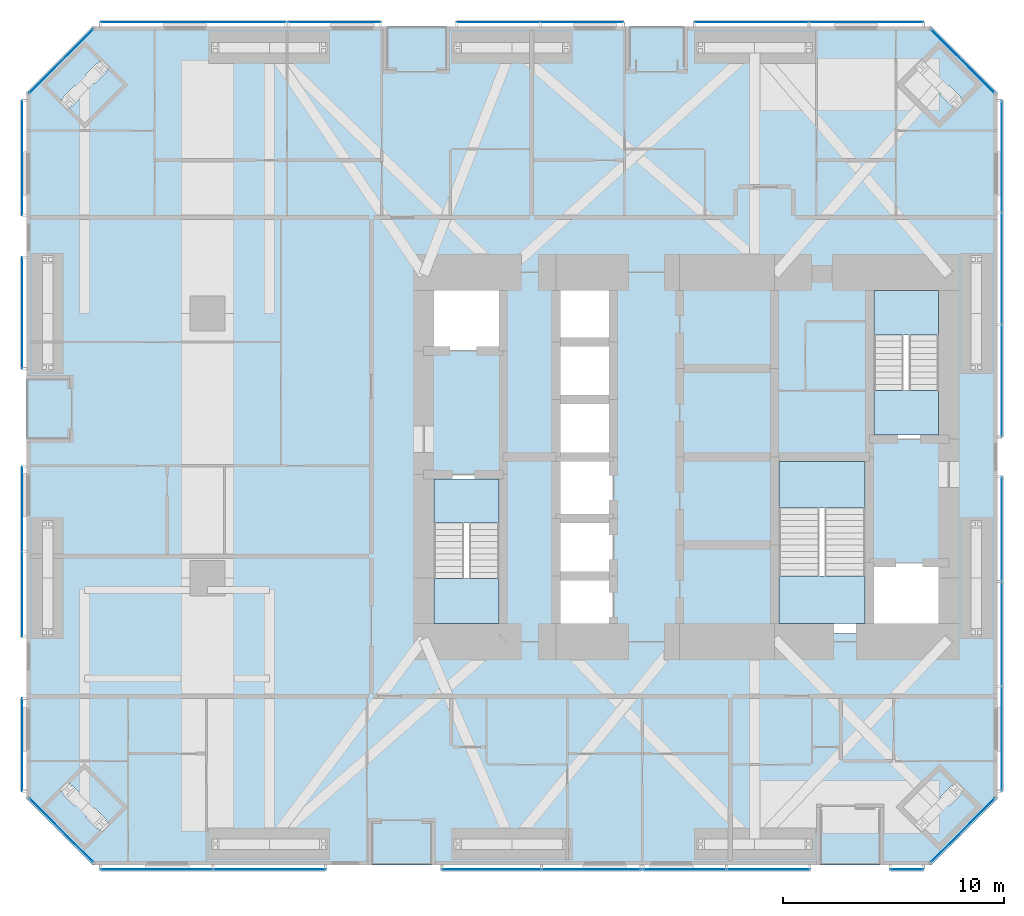
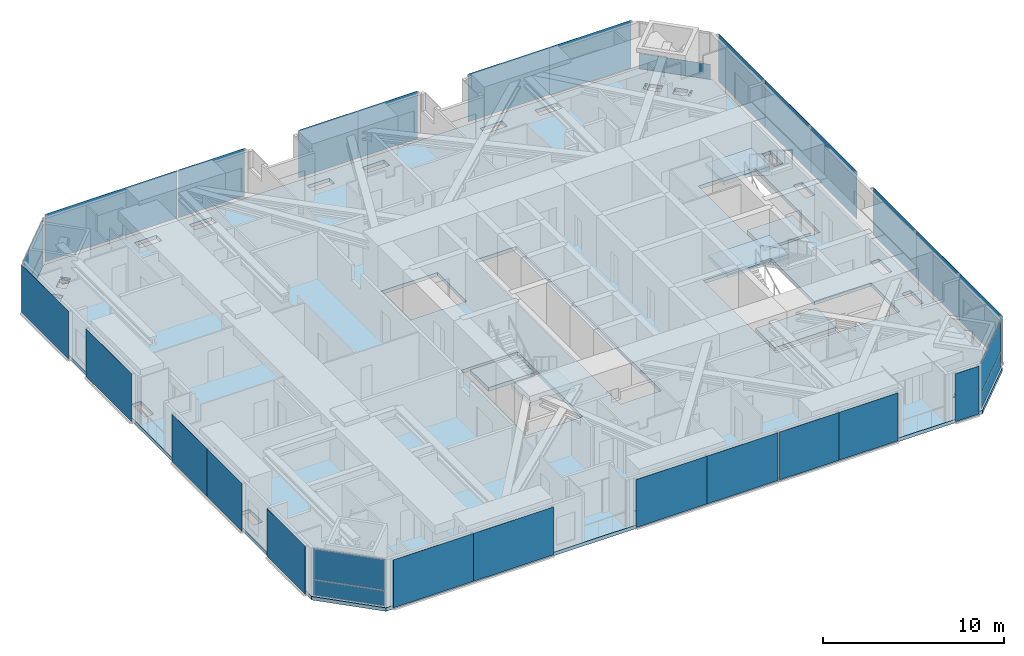
# One storey, part 14 of 22: 31 plates, 7 slabs, 21 elements without a shape of their own.
"""IFC4 building model written with IfcOpenShell, lengths in metres."""

from ifc_helpers import new_model, si_unit, direction, frame, origin, origin_2d, place, context, subcontext, project, spatial, polyline, rectangle, outline, extrude, material, layer, layer_set, type_object, element, aggregate, save


model = new_model("IFC4")

# Units and contexts
model_context = context("Model", 3, precision=1e-05, world=origin(), true_north=direction((0.0, 1.0)))
body_context = subcontext(model_context, "Body", "Model", "MODEL_VIEW")
ifc_project = project(units=[si_unit("LENGTHUNIT", "METRE"), si_unit("AREAUNIT", "SQUARE_METRE"), si_unit("VOLUMEUNIT", "CUBIC_METRE"), si_unit("PLANEANGLEUNIT", "RADIAN"), si_unit("MASSUNIT", "GRAM", prefix="KILO")], contexts=[model_context])

# Site, building, storey
site_placement = place(None, origin())
site = spatial("IfcSite", under=ifc_project, at=site_placement, CompositionType="ELEMENT")
building_placement = place(site_placement, origin())
building = spatial("IfcBuilding", under=site, at=building_placement, Name="Jalousie Tower", CompositionType="ELEMENT")
storey_placement = place(building_placement, frame((0.0, 0.0, 71.25)))
storey = spatial("IfcBuildingStorey", under=building, at=storey_placement, Name="L19", CompositionType="ELEMENT", Elevation=71.25)

# Curtain wall, plates
ifc_material_1 = material(Name="Aluminium curtain wall", Category="aluminium")
curtain_wall_type_1 = type_object("IfcCurtainWallType", Name="CORNER WINDOW WALL", PredefinedType="USERDEFINED", material=ifc_material_1)
curtain_wall_1_placement = place(storey_placement, origin())
curtain_wall_1 = element("IfcCurtainWall", 1, at=curtain_wall_1_placement, inside=storey, type_object=curtain_wall_type_1, Name="Corner Window Wall L19 2", ObjectType="CORNER WINDOW WALL", PredefinedType="USERDEFINED")
ifc_material_2 = material(Name="Laminated impact-rated spandrel glass", Category="glass")
ifc_layer_1 = layer(ifc_material_2, 0.028076171875)
ifc_layer_set_1 = layer_set([ifc_layer_1], Name="Laminated impact-rated spandrel glass")
plate_type_1 = type_object("IfcPlateType", Name="CORNER WINDOW WALL PANEL", PredefinedType="CURTAIN_PANEL", material=ifc_layer_set_1)
plate_1_placement = place(storey_placement, frame((44.4306640625, 1.5693359375, 0.06005859375), z_axis=(0.0, 0.0, 1.0), x_axis=(0.707106781187, 0.707106781187, 0.0)))
plate_1 = element("IfcPlate", 2, at=plate_1_placement, type_object=plate_type_1, Name="CW-C panel 1.1", PredefinedType="CURTAIN_PANEL", context=body_context, shape_type="SweptSolid", body=[
    extrude(rectangle(XDim=4.071533203125, YDim=0.028076171875, at=origin_2d()), origin(), (0.0, 0.0, 1.0), 1.010009765625),
])
plate_2_placement = place(storey_placement, frame((44.4306640625, 1.5693359375, 1.1298828125), z_axis=(0.0, 0.0, 1.0), x_axis=(0.707106781187, 0.707106781187, 0.0)))
plate_2 = element("IfcPlate", 3, at=plate_2_placement, type_object=plate_type_1, Name="CW-C panel 1.2", PredefinedType="CURTAIN_PANEL", context=body_context, shape_type="SweptSolid", body=[
    extrude(rectangle(XDim=4.071533203125, YDim=0.028076171875, at=origin_2d()), origin(), (0.0, 0.0, 1.0), 2.030029296875),
])
aggregate(curtain_wall_1, [plate_1, plate_2])

# Curtain wall, plate
curtain_wall_2_placement = place(storey_placement, origin())
curtain_wall_2 = element("IfcCurtainWall", 4, at=curtain_wall_2_placement, inside=storey, type_object=curtain_wall_type_1, Name="Corner Window Wall L19 4", ObjectType="CORNER WINDOW WALL", PredefinedType="USERDEFINED")
plate_3_placement = place(storey_placement, frame((44.4306640625, 36.4306640625, 0.06005859375), z_axis=(0.0, 0.0, 1.0), x_axis=(-0.707106781187, 0.707106781187, 0.0)))
plate_3 = element("IfcPlate", 5, at=plate_3_placement, type_object=plate_type_1, Name="CW-C panel 1.1", PredefinedType="CURTAIN_PANEL", context=body_context, shape_type="SweptSolid", body=[
    extrude(rectangle(XDim=4.071533203125, YDim=0.028076171875, at=origin_2d()), origin(), (0.0, 0.0, 1.0), 1.010009765625),
])
aggregate(curtain_wall_2, [plate_3])

# Curtain wall, plates
curtain_wall_3_placement = place(storey_placement, origin())
curtain_wall_3 = element("IfcCurtainWall", 6, at=curtain_wall_3_placement, inside=storey, type_object=curtain_wall_type_1, Name="Corner Window Wall L19 6", ObjectType="CORNER WINDOW WALL", PredefinedType="USERDEFINED")
plate_4_placement = place(storey_placement, frame((3.5693359375, 36.4306640625, 0.06005859375), z_axis=(0.0, 0.0, 1.0), x_axis=(-0.707106781187, -0.707106781187, 0.0)))
plate_4 = element("IfcPlate", 7, at=plate_4_placement, type_object=plate_type_1, Name="CW-C panel 1.1", PredefinedType="CURTAIN_PANEL", context=body_context, shape_type="SweptSolid", body=[
    extrude(rectangle(XDim=4.071533203125, YDim=0.028076171875, at=origin_2d()), origin(), (0.0, 0.0, 1.0), 1.010009765625),
])
plate_5_placement = place(storey_placement, frame((3.5693359375, 36.4306640625, 1.1298828125), z_axis=(0.0, 0.0, 1.0), x_axis=(-0.707106781187, -0.707106781187, 0.0)))
plate_5 = element("IfcPlate", 8, at=plate_5_placement, type_object=plate_type_1, Name="CW-C panel 1.2", PredefinedType="CURTAIN_PANEL", context=body_context, shape_type="SweptSolid", body=[
    extrude(rectangle(XDim=4.071533203125, YDim=0.028076171875, at=origin_2d()), origin(), (0.0, 0.0, 1.0), 2.030029296875),
])
aggregate(curtain_wall_3, [plate_4, plate_5])

curtain_wall_4_placement = place(storey_placement, origin())
curtain_wall_4 = element("IfcCurtainWall", 9, at=curtain_wall_4_placement, inside=storey, type_object=curtain_wall_type_1, Name="Corner Window Wall L19 8", ObjectType="CORNER WINDOW WALL", PredefinedType="USERDEFINED")
plate_6_placement = place(storey_placement, frame((3.5693359375, 1.5693359375, 0.06005859375), z_axis=(0.0, 0.0, 1.0), x_axis=(0.707106781187, -0.707106781187, 0.0)))
plate_6 = element("IfcPlate", 10, at=plate_6_placement, type_object=plate_type_1, Name="CW-C panel 1.1", PredefinedType="CURTAIN_PANEL", context=body_context, shape_type="SweptSolid", body=[
    extrude(rectangle(XDim=4.071533203125, YDim=0.028076171875, at=origin_2d()), origin(), (0.0, 0.0, 1.0), 1.010009765625),
])
plate_7_placement = place(storey_placement, frame((3.5693359375, 1.5693359375, 1.1298828125), z_axis=(0.0, 0.0, 1.0), x_axis=(0.707106781187, -0.707106781187, 0.0)))
plate_7 = element("IfcPlate", 11, at=plate_7_placement, type_object=plate_type_1, Name="CW-C panel 1.2", PredefinedType="CURTAIN_PANEL", context=body_context, shape_type="SweptSolid", body=[
    extrude(rectangle(XDim=4.071533203125, YDim=0.028076171875, at=origin_2d()), origin(), (0.0, 0.0, 1.0), 2.030029296875),
])
aggregate(curtain_wall_4, [plate_6, plate_7])

# Slab
ifc_material_3 = material(Name="Concrete f'c 40 MPa", Category="concrete")
ifc_layer_2 = layer(ifc_material_3, 0.239990234375)
ifc_layer_set_2 = layer_set([ifc_layer_2], Name="Concrete f'c 40 MPa")
slab_type_1 = type_object("IfcSlabType", Name="FLOOR SLAB 240", PredefinedType="FLOOR", material=ifc_layer_set_2)
slab_1_placement = place(storey_placement, frame((0.0, 0.0, -0.239990234375)))
element("IfcSlab", 12, at=slab_1_placement, inside=storey, type_object=slab_type_1, Name="L19 floor slab", PredefinedType="FLOOR", context=body_context, shape_type="SweptSolid", body=[
    extrude(outline(polyline([(5.0, 0.0), (43.0, 0.0), (46.0, 3.0), (46.0, 35.0), (43.0, 38.0), (5.0, 38.0), (2.0, 35.0), (2.0, 3.0), (5.0, 0.0)]), holes=[polyline([(10.550048828125, 1.236083984375), (10.609619140625, 1.236083984375), (11.958251953125, 1.236083984375), (11.958251953125, 0.663818359375), (10.609619140625, 0.663818359375), (10.550048828125, 0.663818359375), (10.550048828125, 1.236083984375)]), polyline([(14.041748046875, 1.236083984375), (15.390380859375, 1.236083984375), (15.449951171875, 1.236083984375), (15.449951171875, 0.663818359375), (15.390380859375, 0.663818359375), (14.041748046875, 0.663818359375), (14.041748046875, 1.236083984375)]), polyline([(5.29736328125, 1.560791015625), (5.7021484375, 1.96533203125), (5.788330078125, 1.879150390625), (5.383544921875, 1.474365234375), (5.29736328125, 1.560791015625)]), polyline([(5.611572265625, 2.055908203125), (5.206787109375, 1.651123046875), (4.676025390625, 2.181884765625), (5.080810546875, 2.586669921875), (5.611572265625, 2.055908203125)]), polyline([(3.651123046875, 3.206787109375), (4.055908203125, 3.611572265625), (4.586669921875, 3.080810546875), (4.181884765625, 2.676025390625), (3.651123046875, 3.206787109375)]), polyline([(3.96533203125, 3.7021484375), (3.560791015625, 3.29736328125), (3.474365234375, 3.383544921875), (3.879150390625, 3.788330078125), (3.96533203125, 3.7021484375)]), polyline([(3.236083984375, 10.550048828125), (2.663818359375, 10.550048828125), (2.663818359375, 10.609619140625), (2.663818359375, 11.958251953125), (3.236083984375, 11.958251953125), (3.236083984375, 10.609619140625), (3.236083984375, 10.550048828125)]), polyline([(3.236083984375, 15.390380859375), (3.236083984375, 14.041748046875), (2.663818359375, 14.041748046875), (2.663818359375, 15.390380859375), (2.663818359375, 15.449951171875), (3.236083984375, 15.449951171875), (3.236083984375, 15.390380859375)]), polyline([(2.663818359375, 23.958251953125), (3.236083984375, 23.958251953125), (3.236083984375, 22.609619140625), (3.236083984375, 22.550048828125), (2.663818359375, 22.550048828125), (2.663818359375, 22.609619140625), (2.663818359375, 23.958251953125)]), polyline([(3.236083984375, 26.041748046875), (2.663818359375, 26.041748046875), (2.663818359375, 27.390380859375), (2.663818359375, 27.449951171875), (3.236083984375, 27.449951171875), (3.236083984375, 27.390380859375), (3.236083984375, 26.041748046875)]), polyline([(3.560791015625, 34.70263671875), (3.96533203125, 34.2978515625), (3.879150390625, 34.211669921875), (3.474365234375, 34.616455078125), (3.560791015625, 34.70263671875)]), polyline([(4.586669921875, 34.919189453125), (4.055908203125, 34.388427734375), (3.651123046875, 34.793212890625), (4.181884765625, 35.323974609375), (4.586669921875, 34.919189453125)]), polyline([(5.206787109375, 36.348876953125), (5.611572265625, 35.944091796875), (5.080810546875, 35.413330078125), (4.676025390625, 35.818115234375), (5.206787109375, 36.348876953125)]), polyline([(5.7021484375, 36.03466796875), (5.29736328125, 36.439208984375), (5.383544921875, 36.525634765625), (5.788330078125, 36.120849609375), (5.7021484375, 36.03466796875)]), polyline([(10.550048828125, 36.763916015625), (10.550048828125, 37.336181640625), (10.609619140625, 37.336181640625), (11.958251953125, 37.336181640625), (11.958251953125, 36.763916015625), (10.609619140625, 36.763916015625), (10.550048828125, 36.763916015625)]), polyline([(15.449951171875, 37.336181640625), (15.449951171875, 36.763916015625), (15.390380859375, 36.763916015625), (14.041748046875, 36.763916015625), (14.041748046875, 37.336181640625), (15.390380859375, 37.336181640625), (15.449951171875, 37.336181640625)]), polyline([(22.958251953125, 1.236083984375), (22.958251953125, 0.663818359375), (21.609619140625, 0.663818359375), (21.550048828125, 0.663818359375), (21.550048828125, 1.236083984375), (21.609619140625, 1.236083984375), (22.958251953125, 1.236083984375)]), polyline([(25.041748046875, 0.663818359375), (25.041748046875, 1.236083984375), (26.390380859375, 1.236083984375), (26.449951171875, 1.236083984375), (26.449951171875, 0.663818359375), (26.390380859375, 0.663818359375), (25.041748046875, 0.663818359375)]), polyline([(32.609619140625, 0.663818359375), (32.550048828125, 0.663818359375), (32.550048828125, 1.236083984375), (32.609619140625, 1.236083984375), (33.958251953125, 1.236083984375), (33.958251953125, 0.663818359375), (32.609619140625, 0.663818359375)]), polyline([(37.390380859375, 1.236083984375), (37.449951171875, 1.236083984375), (37.449951171875, 0.663818359375), (37.390380859375, 0.663818359375), (36.041748046875, 0.663818359375), (36.041748046875, 1.236083984375), (37.390380859375, 1.236083984375)]), polyline([(28.60009765625, 26.5), (28.60009765625, 10.5), (26.0, 10.5), (26.0, 26.5), (28.60009765625, 26.5)]), polyline([(20.0, 10.5), (23.60009765625, 10.5), (23.60009765625, 17.699951171875), (20.0, 17.699951171875), (20.0, 10.5)]), polyline([(20.0, 23.300048828125), (23.60009765625, 23.300048828125), (23.60009765625, 26.5), (20.0, 26.5), (20.0, 23.300048828125)]), polyline([(22.958251953125, 36.763916015625), (21.609619140625, 36.763916015625), (21.550048828125, 36.763916015625), (21.550048828125, 37.336181640625), (21.609619140625, 37.336181640625), (22.958251953125, 37.336181640625), (22.958251953125, 36.763916015625)]), polyline([(25.041748046875, 37.336181640625), (26.390380859375, 37.336181640625), (26.449951171875, 37.336181640625), (26.449951171875, 36.763916015625), (26.390380859375, 36.763916015625), (25.041748046875, 36.763916015625), (25.041748046875, 37.336181640625)]), polyline([(33.958251953125, 37.336181640625), (33.958251953125, 36.763916015625), (32.609619140625, 36.763916015625), (32.550048828125, 36.763916015625), (32.550048828125, 37.336181640625), (32.609619140625, 37.336181640625), (33.958251953125, 37.336181640625)]), polyline([(37.390380859375, 37.336181640625), (37.449951171875, 37.336181640625), (37.449951171875, 36.763916015625), (37.390380859375, 36.763916015625), (36.041748046875, 36.763916015625), (36.041748046875, 37.336181640625), (37.390380859375, 37.336181640625)]), polyline([(42.2978515625, 1.96533203125), (42.70263671875, 1.560791015625), (42.616455078125, 1.474365234375), (42.211669921875, 1.879150390625), (42.2978515625, 1.96533203125)]), polyline([(42.793212890625, 1.651123046875), (42.388427734375, 2.055908203125), (42.919189453125, 2.586669921875), (43.323974609375, 2.181884765625), (42.793212890625, 1.651123046875)]), polyline([(43.944091796875, 3.611572265625), (44.348876953125, 3.206787109375), (43.818115234375, 2.676025390625), (43.413330078125, 3.080810546875), (43.944091796875, 3.611572265625)]), polyline([(44.525634765625, 3.383544921875), (44.439208984375, 3.29736328125), (44.03466796875, 3.7021484375), (44.120849609375, 3.788330078125), (44.525634765625, 3.383544921875)]), polyline([(45.336181640625, 10.550048828125), (44.763916015625, 10.550048828125), (44.763916015625, 10.609619140625), (44.763916015625, 11.958251953125), (45.336181640625, 11.958251953125), (45.336181640625, 10.609619140625), (45.336181640625, 10.550048828125)]), polyline([(35.89990234375, 18.5), (40.199951171875, 18.5), (40.199951171875, 13.699951171875), (43.800048828125, 13.699951171875), (43.800048828125, 10.5), (35.89990234375, 10.5), (35.89990234375, 18.5)]), polyline([(45.336181640625, 14.041748046875), (44.763916015625, 14.041748046875), (44.763916015625, 15.390380859375), (44.763916015625, 15.449951171875), (45.336181640625, 15.449951171875), (45.336181640625, 15.390380859375), (45.336181640625, 14.041748046875)]), polyline([(40.199951171875, 19.300048828125), (43.800048828125, 19.300048828125), (43.800048828125, 26.5), (40.199951171875, 26.5), (40.199951171875, 19.300048828125)]), polyline([(45.336181640625, 22.550048828125), (44.763916015625, 22.550048828125), (44.763916015625, 22.609619140625), (44.763916015625, 23.958251953125), (45.336181640625, 23.958251953125), (45.336181640625, 22.609619140625), (45.336181640625, 22.550048828125)]), polyline([(45.336181640625, 27.390380859375), (45.336181640625, 26.041748046875), (44.763916015625, 26.041748046875), (44.763916015625, 27.390380859375), (44.763916015625, 27.449951171875), (45.336181640625, 27.449951171875), (45.336181640625, 27.390380859375)]), polyline([(44.03466796875, 34.2978515625), (44.439208984375, 34.70263671875), (44.525634765625, 34.616455078125), (44.120849609375, 34.211669921875), (44.03466796875, 34.2978515625)]), polyline([(44.348876953125, 34.793212890625), (43.944091796875, 34.388427734375), (43.413330078125, 34.919189453125), (43.818115234375, 35.323974609375), (44.348876953125, 34.793212890625)]), polyline([(42.388427734375, 35.944091796875), (42.793212890625, 36.348876953125), (43.323974609375, 35.818115234375), (42.919189453125, 35.413330078125), (42.388427734375, 35.944091796875)]), polyline([(42.70263671875, 36.439208984375), (42.2978515625, 36.03466796875), (42.211669921875, 36.120849609375), (42.616455078125, 36.525634765625), (42.70263671875, 36.439208984375)])]), origin(), (0.0, 0.0, 1.0), 0.239990234375),
])

# Curtain wall, plates
ifc_material_4 = material(Name="Perforated aluminium sheet", Category="aluminium")
curtain_wall_type_2 = type_object("IfcCurtainWallType", Name="SOLAR SCREEN SS-2", PredefinedType="USERDEFINED", material=ifc_material_4)
curtain_wall_5_placement = place(storey_placement, origin())
curtain_wall_5 = element("IfcCurtainWall", 13, at=curtain_wall_5_placement, inside=storey, type_object=curtain_wall_type_2, Name="Solar screen L19", ObjectType="SOLAR SCREEN SS-2", PredefinedType="USERDEFINED")
ifc_material_5 = material(Name="Perforated aluminium sheet", Category="aluminium")
ifc_layer_3 = layer(ifc_material_5, 0.006103515625)
ifc_layer_set_3 = layer_set([ifc_layer_3], Name="Perforated aluminium sheet")
plate_type_2 = type_object("IfcPlateType", Name="SOLAR SCREEN SS-2 PANEL", PredefinedType="CURTAIN_PANEL", material=ifc_layer_set_3)
plate_8_placement = place(storey_placement, frame((7.90087890625, -0.201171875, 0.0), z_axis=(0.0, 0.0, 1.0), x_axis=(1.0, 0.0, 0.0)))
plate_8 = element("IfcPlate", 14, at=plate_8_placement, type_object=plate_type_2, Name="SS2 perforated panel 1", PredefinedType="CURTAIN_PANEL", context=body_context, shape_type="SweptSolid", body=[
    extrude(rectangle(XDim=5.099365234375, YDim=0.006103515625, at=origin_2d()), origin(), (0.0, 0.0, 1.0), 3.219970703125),
])
plate_9_placement = place(storey_placement, frame((13.000244140625, -0.201171875, 0.0), z_axis=(0.0, 0.0, 1.0), x_axis=(1.0, 0.0, 0.0)))
plate_9 = element("IfcPlate", 15, at=plate_9_placement, type_object=plate_type_2, Name="SS2 perforated panel 2", PredefinedType="CURTAIN_PANEL", context=body_context, shape_type="SweptSolid", body=[
    extrude(rectangle(XDim=5.099365234375, YDim=0.006103515625, at=origin_2d()), origin(), (0.0, 0.0, 1.0), 3.219970703125),
])
aggregate(curtain_wall_5, [plate_8, plate_9])

curtain_wall_6_placement = place(storey_placement, origin())
curtain_wall_6 = element("IfcCurtainWall", 16, at=curtain_wall_6_placement, inside=storey, type_object=curtain_wall_type_2, Name="Solar screen L19", ObjectType="SOLAR SCREEN SS-2", PredefinedType="USERDEFINED")
plate_10_placement = place(storey_placement, frame((23.081298828125, -0.201171875, 0.0), z_axis=(0.0, 0.0, 1.0), x_axis=(1.0, 0.0, 0.0)))
plate_10 = element("IfcPlate", 17, at=plate_10_placement, type_object=plate_type_2, Name="SS2 perforated panel 1", PredefinedType="CURTAIN_PANEL", context=body_context, shape_type="SweptSolid", body=[
    extrude(rectangle(XDim=4.512451171875, YDim=0.006103515625, at=origin_2d()), origin(), (0.0, 0.0, 1.0), 3.219970703125),
])
plate_11_placement = place(storey_placement, frame((27.59375, -0.201171875, 0.0), z_axis=(0.0, 0.0, 1.0), x_axis=(1.0, 0.0, 0.0)))
plate_11 = element("IfcPlate", 18, at=plate_11_placement, type_object=plate_type_2, Name="SS2 perforated panel 2", PredefinedType="CURTAIN_PANEL", context=body_context, shape_type="SweptSolid", body=[
    extrude(rectangle(XDim=4.512451171875, YDim=0.006103515625, at=origin_2d()), origin(), (0.0, 0.0, 1.0), 3.219970703125),
])
aggregate(curtain_wall_6, [plate_10, plate_11])

curtain_wall_7_placement = place(storey_placement, origin())
curtain_wall_7 = element("IfcCurtainWall", 19, at=curtain_wall_7_placement, inside=storey, type_object=curtain_wall_type_2, Name="Solar screen L19", ObjectType="SOLAR SCREEN SS-2", PredefinedType="USERDEFINED")
plate_12_placement = place(storey_placement, frame((31.83740234375, -0.201171875, 0.0), z_axis=(0.0, 0.0, 1.0), x_axis=(1.0, 0.0, 0.0)))
plate_12 = element("IfcPlate", 20, at=plate_12_placement, type_object=plate_type_2, Name="SS2 perforated panel 1", PredefinedType="CURTAIN_PANEL", context=body_context, shape_type="SweptSolid", body=[
    extrude(rectangle(XDim=3.77490234375, YDim=0.006103515625, at=origin_2d()), origin(), (0.0, 0.0, 1.0), 3.219970703125),
])
plate_13_placement = place(storey_placement, frame((35.612548828125, -0.201171875, 0.0), z_axis=(0.0, 0.0, 1.0), x_axis=(1.0, 0.0, 0.0)))
plate_13 = element("IfcPlate", 21, at=plate_13_placement, type_object=plate_type_2, Name="SS2 perforated panel 2", PredefinedType="CURTAIN_PANEL", context=body_context, shape_type="SweptSolid", body=[
    extrude(rectangle(XDim=3.77490234375, YDim=0.006103515625, at=origin_2d()), origin(), (0.0, 0.0, 1.0), 3.219970703125),
])
aggregate(curtain_wall_7, [plate_12, plate_13])

# Curtain wall, plate
curtain_wall_8_placement = place(storey_placement, origin())
curtain_wall_8 = element("IfcCurtainWall", 22, at=curtain_wall_8_placement, inside=storey, type_object=curtain_wall_type_2, Name="Solar screen L19", ObjectType="SOLAR SCREEN SS-2", PredefinedType="USERDEFINED")
plate_14_placement = place(storey_placement, frame((41.8994140625, -0.201171875, 0.0), z_axis=(0.0, 0.0, 1.0), x_axis=(1.0, 0.0, 0.0)))
plate_14 = element("IfcPlate", 23, at=plate_14_placement, type_object=plate_type_2, Name="SS2 perforated panel 1", PredefinedType="CURTAIN_PANEL", context=body_context, shape_type="SweptSolid", body=[
    extrude(rectangle(XDim=1.498779296875, YDim=0.006103515625, at=origin_2d()), origin(), (0.0, 0.0, 1.0), 3.219970703125),
])
aggregate(curtain_wall_8, [plate_14])

# Curtain wall, plates
curtain_wall_9_placement = place(storey_placement, origin())
curtain_wall_9 = element("IfcCurtainWall", 24, at=curtain_wall_9_placement, inside=storey, type_object=curtain_wall_type_2, Name="Solar screen L19", ObjectType="SOLAR SCREEN SS-2", PredefinedType="USERDEFINED")
plate_15_placement = place(storey_placement, frame((46.201171875, 5.72607421875, 0.0), z_axis=(0.0, 0.0, 1.0), x_axis=(0.0, 1.0, 0.0)))
plate_15 = element("IfcPlate", 25, at=plate_15_placement, type_object=plate_type_2, Name="SS2 perforated panel 1", PredefinedType="CURTAIN_PANEL", context=body_context, shape_type="SweptSolid", body=[
    extrude(rectangle(XDim=4.74951171875, YDim=0.006103515625, at=origin_2d()), origin(), (0.0, 0.0, 1.0), 3.219970703125),
])
plate_16_placement = place(storey_placement, frame((46.201171875, 10.4755859375, 0.0), z_axis=(0.0, 0.0, 1.0), x_axis=(0.0, 1.0, 0.0)))
plate_16 = element("IfcPlate", 26, at=plate_16_placement, type_object=plate_type_2, Name="SS2 perforated panel 2", PredefinedType="CURTAIN_PANEL", context=body_context, shape_type="SweptSolid", body=[
    extrude(rectangle(XDim=4.74951171875, YDim=0.006103515625, at=origin_2d()), origin(), (0.0, 0.0, 1.0), 3.219970703125),
])
plate_17_placement = place(storey_placement, frame((46.201171875, 15.22509765625, 0.0), z_axis=(0.0, 0.0, 1.0), x_axis=(0.0, 1.0, 0.0)))
plate_17 = element("IfcPlate", 27, at=plate_17_placement, type_object=plate_type_2, Name="SS2 perforated panel 3", PredefinedType="CURTAIN_PANEL", context=body_context, shape_type="SweptSolid", body=[
    extrude(rectangle(XDim=4.74951171875, YDim=0.006103515625, at=origin_2d()), origin(), (0.0, 0.0, 1.0), 3.219970703125),
])
aggregate(curtain_wall_9, [plate_15, plate_16, plate_17])

curtain_wall_10_placement = place(storey_placement, origin())
curtain_wall_10 = element("IfcCurtainWall", 28, at=curtain_wall_10_placement, inside=storey, type_object=curtain_wall_type_2, Name="Solar screen L19", ObjectType="SOLAR SCREEN SS-2", PredefinedType="USERDEFINED")
plate_18_placement = place(storey_placement, frame((46.201171875, 21.94140625, 0.0), z_axis=(0.0, 0.0, 1.0), x_axis=(0.0, 1.0, 0.0)))
plate_18 = element("IfcPlate", 29, at=plate_18_placement, type_object=plate_type_2, Name="SS2 perforated panel 1", PredefinedType="CURTAIN_PANEL", context=body_context, shape_type="SweptSolid", body=[
    extrude(rectangle(XDim=5.0830078125, YDim=0.006103515625, at=origin_2d()), origin(), (0.0, 0.0, 1.0), 3.219970703125),
])
plate_19_placement = place(storey_placement, frame((46.201171875, 27.0244140625, 0.0), z_axis=(0.0, 0.0, 1.0), x_axis=(0.0, 1.0, 0.0)))
plate_19 = element("IfcPlate", 30, at=plate_19_placement, type_object=plate_type_2, Name="SS2 perforated panel 2", PredefinedType="CURTAIN_PANEL", context=body_context, shape_type="SweptSolid", body=[
    extrude(rectangle(XDim=5.0830078125, YDim=0.006103515625, at=origin_2d()), origin(), (0.0, 0.0, 1.0), 3.219970703125),
])
plate_20_placement = place(storey_placement, frame((46.201171875, 32.107177734375, 0.0), z_axis=(0.0, 0.0, 1.0), x_axis=(0.0, 1.0, 0.0)))
plate_20 = element("IfcPlate", 31, at=plate_20_placement, type_object=plate_type_2, Name="SS2 perforated panel 3", PredefinedType="CURTAIN_PANEL", context=body_context, shape_type="SweptSolid", body=[
    extrude(rectangle(XDim=5.0830078125, YDim=0.006103515625, at=origin_2d()), origin(), (0.0, 0.0, 1.0), 3.219970703125),
])
aggregate(curtain_wall_10, [plate_18, plate_19, plate_20])

curtain_wall_11_placement = place(storey_placement, origin())
curtain_wall_11 = element("IfcCurtainWall", 32, at=curtain_wall_11_placement, inside=storey, type_object=curtain_wall_type_2, Name="Solar screen L19", ObjectType="SOLAR SCREEN SS-2", PredefinedType="USERDEFINED")
plate_21_placement = place(storey_placement, frame((40.055419921875, 38.201171875, 0.0), z_axis=(0.0, 0.0, 1.0), x_axis=(-1.0, 0.0, 0.0)))
plate_21 = element("IfcPlate", 33, at=plate_21_placement, type_object=plate_type_2, Name="SS2 perforated panel 1", PredefinedType="CURTAIN_PANEL", context=body_context, shape_type="SweptSolid", body=[
    extrude(rectangle(XDim=5.186767578125, YDim=0.006103515625, at=origin_2d()), origin(), (0.0, 0.0, 1.0), 3.219970703125),
])
plate_22_placement = place(storey_placement, frame((34.868408203125, 38.201171875, 0.0), z_axis=(0.0, 0.0, 1.0), x_axis=(-1.0, 0.0, 0.0)))
plate_22 = element("IfcPlate", 34, at=plate_22_placement, type_object=plate_type_2, Name="SS2 perforated panel 2", PredefinedType="CURTAIN_PANEL", context=body_context, shape_type="SweptSolid", body=[
    extrude(rectangle(XDim=5.186767578125, YDim=0.006103515625, at=origin_2d()), origin(), (0.0, 0.0, 1.0), 3.219970703125),
])
aggregate(curtain_wall_11, [plate_21, plate_22])

curtain_wall_12_placement = place(storey_placement, origin())
curtain_wall_12 = element("IfcCurtainWall", 35, at=curtain_wall_12_placement, inside=storey, type_object=curtain_wall_type_2, Name="Solar screen L19", ObjectType="SOLAR SCREEN SS-2", PredefinedType="USERDEFINED")
plate_23_placement = place(storey_placement, frame((27.16259765625, 38.201171875, 0.0), z_axis=(0.0, 0.0, 1.0), x_axis=(-1.0, 0.0, 0.0)))
plate_23 = element("IfcPlate", 36, at=plate_23_placement, type_object=plate_type_2, Name="SS2 perforated panel 1", PredefinedType="CURTAIN_PANEL", context=body_context, shape_type="SweptSolid", body=[
    extrude(rectangle(XDim=3.77490234375, YDim=0.006103515625, at=origin_2d()), origin(), (0.0, 0.0, 1.0), 3.219970703125),
])
plate_24_placement = place(storey_placement, frame((23.387451171875, 38.201171875, 0.0), z_axis=(0.0, 0.0, 1.0), x_axis=(-1.0, 0.0, 0.0)))
plate_24 = element("IfcPlate", 37, at=plate_24_placement, type_object=plate_type_2, Name="SS2 perforated panel 2", PredefinedType="CURTAIN_PANEL", context=body_context, shape_type="SweptSolid", body=[
    extrude(rectangle(XDim=3.77490234375, YDim=0.006103515625, at=origin_2d()), origin(), (0.0, 0.0, 1.0), 3.219970703125),
])
aggregate(curtain_wall_12, [plate_23, plate_24])

# Curtain wall, plate
curtain_wall_13_placement = place(storey_placement, origin())
curtain_wall_13 = element("IfcCurtainWall", 38, at=curtain_wall_13_placement, inside=storey, type_object=curtain_wall_type_2, Name="Solar screen L19", ObjectType="SOLAR SCREEN SS-2", PredefinedType="USERDEFINED")
plate_25_placement = place(storey_placement, frame((15.949951171875, 38.201171875, 0.0), z_axis=(0.0, 0.0, 1.0), x_axis=(-1.0, 0.0, 0.0)))
plate_25 = element("IfcPlate", 39, at=plate_25_placement, type_object=plate_type_2, Name="SS2 perforated panel 1", PredefinedType="CURTAIN_PANEL", context=body_context, shape_type="SweptSolid", body=[
    extrude(rectangle(XDim=4.199951171875, YDim=0.006103515625, at=origin_2d()), origin(), (0.0, 0.0, 1.0), 3.219970703125),
])
aggregate(curtain_wall_13, [plate_25])

curtain_wall_14_placement = place(storey_placement, origin())
curtain_wall_14 = element("IfcCurtainWall", 40, at=curtain_wall_14_placement, inside=storey, type_object=curtain_wall_type_2, Name="Solar screen L19", ObjectType="SOLAR SCREEN SS-2", PredefinedType="USERDEFINED")
plate_26_placement = place(storey_placement, frame((9.55078125, 38.201171875, 0.0), z_axis=(0.0, 0.0, 1.0), x_axis=(-1.0, 0.0, 0.0)))
plate_26 = element("IfcPlate", 41, at=plate_26_placement, type_object=plate_type_2, Name="SS2 perforated panel 1", PredefinedType="CURTAIN_PANEL", context=body_context, shape_type="SweptSolid", body=[
    extrude(rectangle(XDim=8.398681640625, YDim=0.006103515625, at=origin_2d()), origin(), (0.0, 0.0, 1.0), 3.219970703125),
])
aggregate(curtain_wall_14, [plate_26])

curtain_wall_15_placement = place(storey_placement, origin())
curtain_wall_15 = element("IfcCurtainWall", 42, at=curtain_wall_15_placement, inside=storey, type_object=curtain_wall_type_2, Name="Solar screen L19", ObjectType="SOLAR SCREEN SS-2", PredefinedType="USERDEFINED")
plate_27_placement = place(storey_placement, frame((1.798828125, 32.04931640625, 0.0), z_axis=(0.0, 0.0, 1.0), x_axis=(0.0, -1.0, 0.0)))
plate_27 = element("IfcPlate", 43, at=plate_27_placement, type_object=plate_type_2, Name="SS2 perforated panel 1", PredefinedType="CURTAIN_PANEL", context=body_context, shape_type="SweptSolid", body=[
    extrude(rectangle(XDim=5.19873046875, YDim=0.006103515625, at=origin_2d()), origin(), (0.0, 0.0, 1.0), 3.219970703125),
])
aggregate(curtain_wall_15, [plate_27])

curtain_wall_16_placement = place(storey_placement, origin())
curtain_wall_16 = element("IfcCurtainWall", 44, at=curtain_wall_16_placement, inside=storey, type_object=curtain_wall_type_2, Name="Solar screen L19", ObjectType="SOLAR SCREEN SS-2", PredefinedType="USERDEFINED")
plate_28_placement = place(storey_placement, frame((1.798828125, 25.02490234375, 0.0), z_axis=(0.0, 0.0, 1.0), x_axis=(0.0, -1.0, 0.0)))
plate_28 = element("IfcPlate", 45, at=plate_28_placement, type_object=plate_type_2, Name="SS2 perforated panel 1", PredefinedType="CURTAIN_PANEL", context=body_context, shape_type="SweptSolid", body=[
    extrude(rectangle(XDim=5.050048828125, YDim=0.006103515625, at=origin_2d()), origin(), (0.0, 0.0, 1.0), 3.219970703125),
])
aggregate(curtain_wall_16, [plate_28])

# Curtain wall, plates
curtain_wall_17_placement = place(storey_placement, origin())
curtain_wall_17 = element("IfcCurtainWall", 46, at=curtain_wall_17_placement, inside=storey, type_object=curtain_wall_type_2, Name="Solar screen L19", ObjectType="SOLAR SCREEN SS-2", PredefinedType="USERDEFINED")
plate_29_placement = place(storey_placement, frame((1.798828125, 16.123291015625, 0.0), z_axis=(0.0, 0.0, 1.0), x_axis=(0.0, -1.0, 0.0)))
plate_29 = element("IfcPlate", 47, at=plate_29_placement, type_object=plate_type_2, Name="SS2 perforated panel 1", PredefinedType="CURTAIN_PANEL", context=body_context, shape_type="SweptSolid", body=[
    extrude(rectangle(XDim=3.853271484375, YDim=0.006103515625, at=origin_2d()), origin(), (0.0, 0.0, 1.0), 3.219970703125),
])
plate_30_placement = place(storey_placement, frame((1.798828125, 12.270263671875, 0.0), z_axis=(0.0, 0.0, 1.0), x_axis=(0.0, -1.0, 0.0)))
plate_30 = element("IfcPlate", 48, at=plate_30_placement, type_object=plate_type_2, Name="SS2 perforated panel 2", PredefinedType="CURTAIN_PANEL", context=body_context, shape_type="SweptSolid", body=[
    extrude(rectangle(XDim=3.853271484375, YDim=0.006103515625, at=origin_2d()), origin(), (0.0, 0.0, 1.0), 3.219970703125),
])
aggregate(curtain_wall_17, [plate_29, plate_30])

# Curtain wall, plate
curtain_wall_18_placement = place(storey_placement, origin())
curtain_wall_18 = element("IfcCurtainWall", 49, at=curtain_wall_18_placement, inside=storey, type_object=curtain_wall_type_2, Name="Solar screen L19", ObjectType="SOLAR SCREEN SS-2", PredefinedType="USERDEFINED")
plate_31_placement = place(storey_placement, frame((1.798828125, 5.45068359375, 0.0), z_axis=(0.0, 0.0, 1.0), x_axis=(0.0, -1.0, 0.0)))
plate_31 = element("IfcPlate", 50, at=plate_31_placement, type_object=plate_type_2, Name="SS2 perforated panel 1", PredefinedType="CURTAIN_PANEL", context=body_context, shape_type="SweptSolid", body=[
    extrude(rectangle(XDim=4.19873046875, YDim=0.006103515625, at=origin_2d()), origin(), (0.0, 0.0, 1.0), 3.219970703125),
])
aggregate(curtain_wall_18, [plate_31])

# Stair, slabs
ifc_material_6 = material(Name="Concrete f'c 40 MPa", Category="concrete")
stair_type = type_object("IfcStairType", Name="EXIT STAIR", PredefinedType="HALF_TURN_STAIR", material=ifc_material_6)
stair_1_placement = place(storey_placement, origin())
stair_1 = element("IfcStair", 51, at=stair_1_placement, inside=storey, type_object=stair_type, Name="Exit stair A L19", PredefinedType="HALF_TURN_STAIR")
ifc_material_7 = material(Name="Concrete f'c 40 MPa", Category="concrete")
ifc_layer_4 = layer(ifc_material_7, 0.25)
ifc_layer_set_4 = layer_set([ifc_layer_4], Name="Concrete f'c 40 MPa")
slab_type_2 = type_object("IfcSlabType", Name="STAIR LANDING 250", PredefinedType="LANDING", material=ifc_layer_set_4)
slab_2_placement = place(storey_placement, frame((0.0, 0.0, -0.25)))
slab_2 = element("IfcSlab", 52, at=slab_2_placement, type_object=slab_type_2, Name="ST-A landing 1", PredefinedType="LANDING", context=body_context, shape_type="SweptSolid", body=[
    extrude(outline(polyline([(20.47509765625, 15.49755859375), (23.39990234375, 15.49755859375), (23.39990234375, 17.5), (20.47509765625, 17.5), (20.47509765625, 15.49755859375)])), origin(), (0.0, 0.0, 1.0), 0.25),
])
slab_3_placement = place(storey_placement, frame((0.0, 0.0, 1.5)))
slab_3 = element("IfcSlab", 53, at=slab_3_placement, type_object=slab_type_2, Name="ST-A landing 2", PredefinedType="LANDING", context=body_context, shape_type="SweptSolid", body=[
    extrude(outline(polyline([(20.47509765625, 10.949951171875), (23.39990234375, 10.949951171875), (23.39990234375, 12.9775390625), (20.47509765625, 12.9775390625), (20.47509765625, 10.949951171875)])), origin(), (0.0, 0.0, 1.0), 0.25),
])
aggregate(stair_1, [slab_2, slab_3])

stair_2_placement = place(storey_placement, origin())
stair_2 = element("IfcStair", 54, at=stair_2_placement, inside=storey, type_object=stair_type, Name="Exit stair B L19", PredefinedType="HALF_TURN_STAIR")
slab_4_placement = place(storey_placement, frame((0.0, 0.0, -0.25)))
slab_4 = element("IfcSlab", 55, at=slab_4_placement, type_object=slab_type_2, Name="ST-B landing 1", PredefinedType="LANDING", context=body_context, shape_type="SweptSolid", body=[
    extrude(outline(polyline([(40.39990234375, 19.5), (43.324951171875, 19.5), (43.324951171875, 21.50244140625), (40.39990234375, 21.50244140625), (40.39990234375, 19.5)])), origin(), (0.0, 0.0, 1.0), 0.25),
])
slab_5_placement = place(storey_placement, frame((0.0, 0.0, 1.5)))
slab_5 = element("IfcSlab", 56, at=slab_5_placement, type_object=slab_type_2, Name="ST-B landing 2", PredefinedType="LANDING", context=body_context, shape_type="SweptSolid", body=[
    extrude(outline(polyline([(40.39990234375, 24.0224609375), (43.324951171875, 24.0224609375), (43.324951171875, 26.050048828125), (40.39990234375, 26.050048828125), (40.39990234375, 24.0224609375)])), origin(), (0.0, 0.0, 1.0), 0.25),
])
aggregate(stair_2, [slab_4, slab_5])

stair_3_placement = place(storey_placement, origin())
stair_3 = element("IfcStair", 57, at=stair_3_placement, inside=storey, type_object=stair_type, Name="Exit stair C L19", PredefinedType="HALF_TURN_STAIR")
slab_6_placement = place(storey_placement, frame((0.0, 0.0, -0.25)))
slab_6 = element("IfcSlab", 58, at=slab_6_placement, type_object=slab_type_2, Name="ST-C landing 1", PredefinedType="LANDING", context=body_context, shape_type="SweptSolid", body=[
    extrude(outline(polyline([(36.10009765625, 10.949951171875), (40.0, 10.949951171875), (40.0, 13.097412109375), (36.10009765625, 13.097412109375), (36.10009765625, 10.949951171875)])), origin(), (0.0, 0.0, 1.0), 0.25),
])
slab_7_placement = place(storey_placement, frame((0.0, 0.0, 1.5)))
slab_7 = element("IfcSlab", 59, at=slab_7_placement, type_object=slab_type_2, Name="ST-C landing 2", PredefinedType="LANDING", context=body_context, shape_type="SweptSolid", body=[
    extrude(outline(polyline([(36.10009765625, 16.177490234375), (40.0, 16.177490234375), (40.0, 18.300048828125), (36.10009765625, 18.300048828125), (36.10009765625, 16.177490234375)])), origin(), (0.0, 0.0, 1.0), 0.25),
])
aggregate(stair_3, [slab_6, slab_7])

save(model, "model.ifc")
